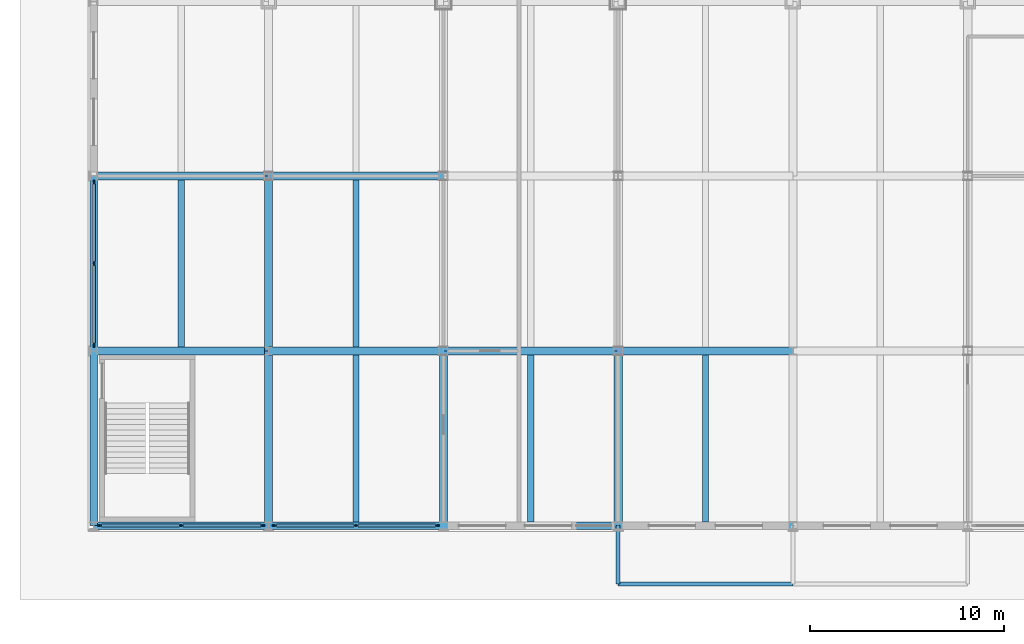
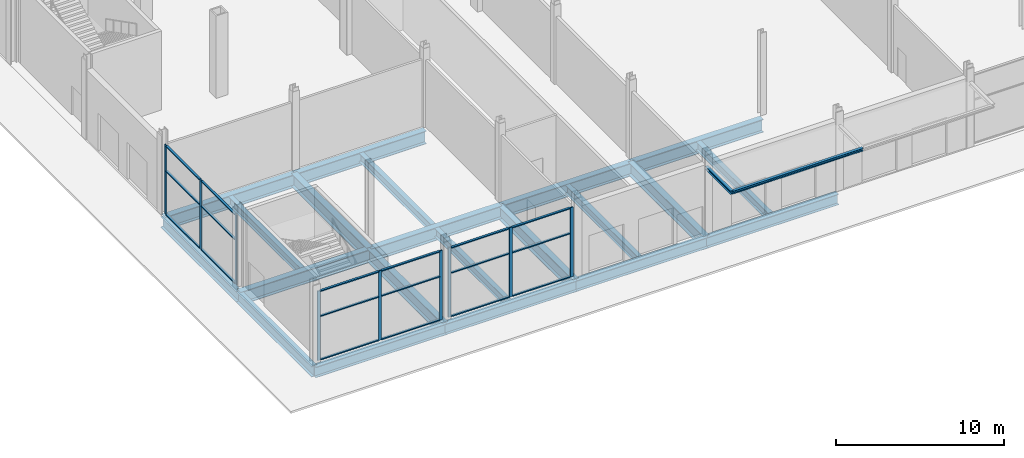
# One storey, part 6 of 34: 27 members, 23 beams, 3 elements without a shape of their own.
"""IFC4 building model written with IfcOpenShell, lengths in metres."""

from ifc_helpers import new_model, si_unit, direction, frame, origin, origin_2d, place, context, subcontext, project, spatial, rectangle, i_section, extrude, material, material_profile, profile_set, type_object, element, aggregate, save


model = new_model("IFC4")

# Units and contexts
model_context = context("Model", 3, precision=1e-05, world=origin(), true_north=direction((0.0, 1.0)))
body_context = subcontext(model_context, "Body", "Model", "MODEL_VIEW")
ifc_project = project(units=[si_unit("LENGTHUNIT", "METRE"), si_unit("AREAUNIT", "SQUARE_METRE"), si_unit("VOLUMEUNIT", "CUBIC_METRE"), si_unit("PLANEANGLEUNIT", "RADIAN"), si_unit("MASSUNIT", "GRAM", prefix="KILO")], contexts=[model_context])

# Site, building, storey
site_placement = place(None, origin())
site = spatial("IfcSite", under=ifc_project, at=site_placement, CompositionType="ELEMENT")
building_placement = place(site_placement, origin())
building = spatial("IfcBuilding", under=site, at=building_placement, Name="Loomwork Tower", CompositionType="ELEMENT")
storey_placement = place(building_placement, origin())
storey = spatial("IfcBuildingStorey", under=building, at=storey_placement, Name="L00", CompositionType="ELEMENT", Elevation=0.0)

# Beams
ifc_material_1 = material(Name="Steel ASTM A992", Category="steel")
ifc_material_profile_1 = material_profile(ifc_material_1, i_section(OverallWidth=0.2021484375, OverallDepth=0.2470703125, WebThickness=0.00732421875, FlangeThickness=0.010986328125, at=origin_2d()), Name="W10x33")
ifc_profile_set_1 = profile_set([ifc_material_profile_1], Name="Steel ASTM A992")
beam_type_1 = type_object("IfcBeamType", Name="CANOPY ARM W10x33", PredefinedType="BEAM", material=ifc_profile_set_1)
beam_1_placement = place(storey_placement, frame((18.0, -27.0, 4.676513671875), z_axis=(0.0, -1.0, 0.0), x_axis=(1.0, 0.0, 0.0)))
element("IfcBeam", 1, at=beam_1_placement, inside=storey, type_object=beam_type_1, Name="Canopy arm grid A/4", PredefinedType="BEAM", context=body_context, shape_type="SweptSolid", body=[
    extrude(i_section(OverallWidth=0.2021484375, OverallDepth=0.2470703125, WebThickness=0.00732421875, FlangeThickness=0.010986328125, at=origin_2d()), origin(), (0.0, 0.0, 1.0), 3.0),
])
ifc_material_2 = material(Name="Steel ASTM A992", Category="steel")
ifc_material_profile_2 = material_profile(ifc_material_2, i_section(OverallWidth=0.203125, OverallDepth=0.203125, WebThickness=0.00732421875, FlangeThickness=0.010986328125, at=origin_2d()), Name="W8x31")
ifc_profile_set_2 = profile_set([ifc_material_profile_2], Name="Steel ASTM A992")
beam_type_2 = type_object("IfcBeamType", Name="CANOPY EDGE BEAM W8x31", PredefinedType="BEAM", material=ifc_profile_set_2)
beam_2_placement = place(storey_placement, frame((18.0, -30.0, 4.698486328125), z_axis=(1.0, 0.0, 0.0), x_axis=(0.0, 1.0, 0.0)))
element("IfcBeam", 2, at=beam_2_placement, inside=storey, type_object=beam_type_2, Name="Canopy edge beam 18-27", PredefinedType="BEAM", context=body_context, shape_type="SweptSolid", body=[
    extrude(i_section(OverallWidth=0.203125, OverallDepth=0.203125, WebThickness=0.00732421875, FlangeThickness=0.010986328125, at=origin_2d()), origin(), (0.0, 0.0, 1.0), 9.0),
])
ifc_material_3 = material(Name="Steel ASTM A992", Category="steel")
ifc_material_profile_3 = material_profile(ifc_material_3, i_section(OverallWidth=0.381103515625, OverallDepth=0.77978515625, WebThickness=0.01806640625, FlangeThickness=0.0302734375, at=origin_2d()), Name="W30x191")
ifc_profile_set_3 = profile_set([ifc_material_profile_3], Name="Steel ASTM A992")
beam_type_3 = type_object("IfcBeamType", Name="EDGE GIRDER W30x191", PredefinedType="BEAM", material=ifc_profile_set_3)
for number, where, z_axis, x_axis, name in (
    (3, (-9.0, -27.0, -0.68994140625), (1.0, 0.0, 0.0), (0.0, 1.0, 0.0), "Edge Girder A/1-A/2 L00"),
    (4, (0.0, -27.0, -0.68994140625), (1.0, 0.0, 0.0), (0.0, 1.0, 0.0), "Edge Girder A/2-A/3 L00"),
    (5, (9.0, -27.0, -0.68994140625), (1.0, 0.0, 0.0), (0.0, 1.0, 0.0), "Edge Girder A/3-A/4 L00"),
    (6, (18.0, -27.0, -0.68994140625), (1.0, 0.0, 0.0), (0.0, 1.0, 0.0), "Edge Girder A/4-A/5 L00"),
    (7, (-9.0, -27.0, -0.68994140625), (0.0, 1.0, 0.0), (-1.0, 0.0, 0.0), "Edge Girder A/1-B/1 L00"),
    (8, (-9.0, -18.0, -0.68994140625), (0.0, 1.0, 0.0), (-1.0, 0.0, 0.0), "Edge Girder B/1-C/1 L00"),
):
    element("IfcBeam", number, at=place(storey_placement, frame(where, z_axis=z_axis, x_axis=x_axis)), inside=storey, type_object=beam_type_3, Name=name, PredefinedType="BEAM", context=body_context, shape_type="SweptSolid", body=[
        extrude(i_section(OverallWidth=0.381103515625, OverallDepth=0.77978515625, WebThickness=0.01806640625, FlangeThickness=0.0302734375, at=origin_2d()), origin(), (0.0, 0.0, 1.0), 9.0),
    ])
ifc_material_4 = material(Name="Steel ASTM A992", Category="steel")
ifc_material_profile_4 = material_profile(ifc_material_4, i_section(OverallWidth=0.3251953125, OverallDepth=0.612060546875, WebThickness=0.0126953125, FlangeThickness=0.01904296875, at=origin_2d()), Name="W24x104")
ifc_profile_set_4 = profile_set([ifc_material_profile_4], Name="Steel ASTM A992")
beam_type_4 = type_object("IfcBeamType", Name="FLOOR JOIST W24x104", PredefinedType="JOIST", material=ifc_profile_set_4)
beam_3_placement = place(storey_placement, frame((-4.5, -17.7880859375, -0.60595703125), z_axis=(0.0, 1.0, 0.0), x_axis=(-1.0, 0.0, 0.0)))
element("IfcBeam", 9, at=beam_3_placement, inside=storey, type_object=beam_type_4, Name="Floor Joist -4.500,-18.000--4.500,-9.000 L00", PredefinedType="JOIST", context=body_context, shape_type="SweptSolid", body=[
    extrude(i_section(OverallWidth=0.3251953125, OverallDepth=0.612060546875, WebThickness=0.0126953125, FlangeThickness=0.01904296875, at=origin_2d()), origin(), (0.0, 0.0, 1.0), 8.576171875),
])
beam_4_placement = place(storey_placement, frame((4.5, -26.81005859375, -0.60595703125), z_axis=(0.0, 1.0, 0.0), x_axis=(-1.0, 0.0, 0.0)))
element("IfcBeam", 10, at=beam_4_placement, inside=storey, type_object=beam_type_4, Name="Floor Joist 4.500,-27.000-4.500,-18.000 L00", PredefinedType="JOIST", context=body_context, shape_type="SweptSolid", body=[
    extrude(i_section(OverallWidth=0.3251953125, OverallDepth=0.612060546875, WebThickness=0.0126953125, FlangeThickness=0.01904296875, at=origin_2d()), origin(), (0.0, 0.0, 1.0), 8.59814453125),
])
beam_5_placement = place(storey_placement, frame((4.5, -17.7880859375, -0.60595703125), z_axis=(0.0, 1.0, 0.0), x_axis=(-1.0, 0.0, 0.0)))
element("IfcBeam", 11, at=beam_5_placement, inside=storey, type_object=beam_type_4, Name="Floor Joist 4.500,-18.000-4.500,-9.000 L00", PredefinedType="JOIST", context=body_context, shape_type="SweptSolid", body=[
    extrude(i_section(OverallWidth=0.3251953125, OverallDepth=0.612060546875, WebThickness=0.0126953125, FlangeThickness=0.01904296875, at=origin_2d()), origin(), (0.0, 0.0, 1.0), 8.576171875),
])
for number, where, z_axis, x_axis, name in (
    (12, (13.5, -26.81005859375, -0.60595703125), (0.0, 1.0, 0.0), (-1.0, 0.0, 0.0), "Floor Joist 13.500,-27.000-13.500,-18.000 L00"),
    (13, (22.5, -26.81005859375, -0.60595703125), (0.0, 1.0, 0.0), (-1.0, 0.0, 0.0), "Floor Joist 22.500,-27.000-22.500,-18.000 L00"),
):
    element("IfcBeam", number, at=place(storey_placement, frame(where, z_axis=z_axis, x_axis=x_axis)), inside=storey, type_object=beam_type_4, Name=name, PredefinedType="JOIST", context=body_context, shape_type="SweptSolid", body=[
        extrude(i_section(OverallWidth=0.3251953125, OverallDepth=0.612060546875, WebThickness=0.0126953125, FlangeThickness=0.01904296875, at=origin_2d()), origin(), (0.0, 0.0, 1.0), 8.59814453125),
    ])

# Curtain wall, members
ifc_material_5 = material(Name="Aluminium storefront frame", Category="aluminium")
curtain_wall_type = type_object("IfcCurtainWallType", Name="Storefront glazing", PredefinedType="NOTDEFINED", material=ifc_material_5)
curtain_wall_1_placement = place(storey_placement, origin())
curtain_wall_1 = element("IfcCurtainWall", 14, at=curtain_wall_1_placement, inside=storey, type_object=curtain_wall_type, Name="Storefront glazing cw/S--9", PredefinedType="NOTDEFINED")
ifc_material_6 = material(Name="Aluminium storefront frame", Category="aluminium")
ifc_material_profile_5 = material_profile(ifc_material_6, rectangle(XDim=0.074951171875, YDim=0.199951171875, at=origin_2d()), Name="AL 75x200")
ifc_profile_set_5 = profile_set([ifc_material_profile_5], Name="Aluminium storefront frame")
member_type_1 = type_object("IfcMemberType", Name="Storefront glazing mullion", PredefinedType="MULLION", material=ifc_profile_set_5)
member_1_placement = place(storey_placement, frame((-8.69921875, -27.0, 0.0), z_axis=(0.0, 0.0, 1.0), x_axis=(0.0, 1.0, 0.0)))
member_1 = element("IfcMember", 15, at=member_1_placement, type_object=member_type_1, Name="CW7 mullion 1", PredefinedType="MULLION", context=body_context, shape_type="SweptSolid", body=[
    extrude(rectangle(XDim=0.074951171875, YDim=0.199951171875, at=origin_2d()), origin(), (0.0, 0.0, 1.0), 5.053955078125),
])
member_2_placement = place(storey_placement, frame((-4.5, -27.0, 0.0), z_axis=(0.0, 0.0, 1.0), x_axis=(0.0, 1.0, 0.0)))
member_2 = element("IfcMember", 16, at=member_2_placement, type_object=member_type_1, Name="CW7 mullion 2", PredefinedType="MULLION", context=body_context, shape_type="SweptSolid", body=[
    extrude(rectangle(XDim=0.074951171875, YDim=0.199951171875, at=origin_2d()), origin(), (0.0, 0.0, 1.0), 5.053955078125),
])
member_3_placement = place(storey_placement, frame((-0.30078125, -27.0, 0.0), z_axis=(0.0, 0.0, 1.0), x_axis=(0.0, 1.0, 0.0)))
member_3 = element("IfcMember", 17, at=member_3_placement, type_object=member_type_1, Name="CW7 mullion 3", PredefinedType="MULLION", context=body_context, shape_type="SweptSolid", body=[
    extrude(rectangle(XDim=0.074951171875, YDim=0.199951171875, at=origin_2d()), origin(), (0.0, 0.0, 1.0), 5.053955078125),
])

curtain_wall_2_placement = place(storey_placement, origin())
curtain_wall_2 = element("IfcCurtainWall", 18, at=curtain_wall_2_placement, inside=storey, type_object=curtain_wall_type, Name="Storefront glazing cw/S-0", PredefinedType="NOTDEFINED")
member_4_placement = place(storey_placement, frame((0.30078125, -27.0, 0.0), z_axis=(0.0, 0.0, 1.0), x_axis=(0.0, 1.0, 0.0)))
member_4 = element("IfcMember", 19, at=member_4_placement, type_object=member_type_1, Name="CW7 mullion 1", PredefinedType="MULLION", context=body_context, shape_type="SweptSolid", body=[
    extrude(rectangle(XDim=0.074951171875, YDim=0.199951171875, at=origin_2d()), origin(), (0.0, 0.0, 1.0), 5.053955078125),
])
member_5_placement = place(storey_placement, frame((4.5, -27.0, 0.0), z_axis=(0.0, 0.0, 1.0), x_axis=(0.0, 1.0, 0.0)))
member_5 = element("IfcMember", 20, at=member_5_placement, type_object=member_type_1, Name="CW7 mullion 2", PredefinedType="MULLION", context=body_context, shape_type="SweptSolid", body=[
    extrude(rectangle(XDim=0.074951171875, YDim=0.199951171875, at=origin_2d()), origin(), (0.0, 0.0, 1.0), 5.053955078125),
])
member_6_placement = place(storey_placement, frame((8.69921875, -27.0, 0.0), z_axis=(0.0, 0.0, 1.0), x_axis=(0.0, 1.0, 0.0)))
member_6 = element("IfcMember", 21, at=member_6_placement, type_object=member_type_1, Name="CW7 mullion 3", PredefinedType="MULLION", context=body_context, shape_type="SweptSolid", body=[
    extrude(rectangle(XDim=0.074951171875, YDim=0.199951171875, at=origin_2d()), origin(), (0.0, 0.0, 1.0), 5.053955078125),
])

curtain_wall_3_placement = place(storey_placement, origin())
curtain_wall_3 = element("IfcCurtainWall", 22, at=curtain_wall_3_placement, inside=storey, type_object=curtain_wall_type, Name="Storefront glazing cw/W--18", PredefinedType="NOTDEFINED")
member_7_placement = place(storey_placement, frame((-9.0, -9.30078125, 0.0), z_axis=(0.0, 0.0, 1.0), x_axis=(1.0, 0.0, 0.0)))
member_7 = element("IfcMember", 23, at=member_7_placement, type_object=member_type_1, Name="CW7 mullion 1", PredefinedType="MULLION", context=body_context, shape_type="SweptSolid", body=[
    extrude(rectangle(XDim=0.074951171875, YDim=0.199951171875, at=origin_2d()), origin(), (0.0, 0.0, 1.0), 5.053955078125),
])
member_8_placement = place(storey_placement, frame((-9.0, -13.5, 0.0), z_axis=(0.0, 0.0, 1.0), x_axis=(1.0, 0.0, 0.0)))
member_8 = element("IfcMember", 24, at=member_8_placement, type_object=member_type_1, Name="CW7 mullion 2", PredefinedType="MULLION", context=body_context, shape_type="SweptSolid", body=[
    extrude(rectangle(XDim=0.074951171875, YDim=0.199951171875, at=origin_2d()), origin(), (0.0, 0.0, 1.0), 5.053955078125),
])
member_9_placement = place(storey_placement, frame((-9.0, -17.69921875, 0.0), z_axis=(0.0, 0.0, 1.0), x_axis=(1.0, 0.0, 0.0)))
member_9 = element("IfcMember", 25, at=member_9_placement, type_object=member_type_1, Name="CW7 mullion 3", PredefinedType="MULLION", context=body_context, shape_type="SweptSolid", body=[
    extrude(rectangle(XDim=0.074951171875, YDim=0.199951171875, at=origin_2d()), origin(), (0.0, 0.0, 1.0), 5.053955078125),
])

# Member
ifc_material_7 = material(Name="Aluminium storefront frame", Category="aluminium")
ifc_material_profile_6 = material_profile(ifc_material_7, rectangle(XDim=0.14990234375, YDim=0.074951171875, at=origin_2d()), Name="AL 75x150")
ifc_profile_set_6 = profile_set([ifc_material_profile_6], Name="Aluminium storefront frame")
member_type_2 = type_object("IfcMemberType", Name="Storefront glazing transom", PredefinedType="USERDEFINED", material=ifc_profile_set_6)
member_10_placement = place(storey_placement, frame((-8.599365234375, -27.0, 0.03759765625), z_axis=(1.0, 0.0, 0.0), x_axis=(0.0, 1.0, 0.0)))
member_10 = element("IfcMember", 26, at=member_10_placement, type_object=member_type_2, Name="CW7 transom 1.1", ObjectType="TRANSOM", PredefinedType="USERDEFINED", context=body_context, shape_type="SweptSolid", body=[
    extrude(rectangle(XDim=0.14990234375, YDim=0.074951171875, at=origin_2d()), origin(), (0.0, 0.0, 1.0), 3.999267578125),
])

member_11_placement = place(storey_placement, frame((-8.599365234375, -27.0, 3.199951171875), z_axis=(1.0, 0.0, 0.0), x_axis=(0.0, 1.0, 0.0)))
member_11 = element("IfcMember", 27, at=member_11_placement, type_object=member_type_2, Name="CW7 transom 1.2", ObjectType="TRANSOM", PredefinedType="USERDEFINED", context=body_context, shape_type="SweptSolid", body=[
    extrude(rectangle(XDim=0.14990234375, YDim=0.074951171875, at=origin_2d()), origin(), (0.0, 0.0, 1.0), 3.999267578125),
])

member_12_placement = place(storey_placement, frame((-8.599365234375, -27.0, 5.0166015625), z_axis=(1.0, 0.0, 0.0), x_axis=(0.0, 1.0, 0.0)))
member_12 = element("IfcMember", 28, at=member_12_placement, type_object=member_type_2, Name="CW7 transom 1.3", ObjectType="TRANSOM", PredefinedType="USERDEFINED", context=body_context, shape_type="SweptSolid", body=[
    extrude(rectangle(XDim=0.14990234375, YDim=0.074951171875, at=origin_2d()), origin(), (0.0, 0.0, 1.0), 3.999267578125),
])

member_13_placement = place(storey_placement, frame((-4.39990234375, -27.0, 0.03759765625), z_axis=(1.0, 0.0, 0.0), x_axis=(0.0, 1.0, 0.0)))
member_13 = element("IfcMember", 29, at=member_13_placement, type_object=member_type_2, Name="CW7 transom 2.1", ObjectType="TRANSOM", PredefinedType="USERDEFINED", context=body_context, shape_type="SweptSolid", body=[
    extrude(rectangle(XDim=0.14990234375, YDim=0.074951171875, at=origin_2d()), origin(), (0.0, 0.0, 1.0), 3.999267578125),
])

member_14_placement = place(storey_placement, frame((-4.39990234375, -27.0, 3.199951171875), z_axis=(1.0, 0.0, 0.0), x_axis=(0.0, 1.0, 0.0)))
member_14 = element("IfcMember", 30, at=member_14_placement, type_object=member_type_2, Name="CW7 transom 2.2", ObjectType="TRANSOM", PredefinedType="USERDEFINED", context=body_context, shape_type="SweptSolid", body=[
    extrude(rectangle(XDim=0.14990234375, YDim=0.074951171875, at=origin_2d()), origin(), (0.0, 0.0, 1.0), 3.999267578125),
])

member_15_placement = place(storey_placement, frame((-4.39990234375, -27.0, 5.0166015625), z_axis=(1.0, 0.0, 0.0), x_axis=(0.0, 1.0, 0.0)))
member_15 = element("IfcMember", 31, at=member_15_placement, type_object=member_type_2, Name="CW7 transom 2.3", ObjectType="TRANSOM", PredefinedType="USERDEFINED", context=body_context, shape_type="SweptSolid", body=[
    extrude(rectangle(XDim=0.14990234375, YDim=0.074951171875, at=origin_2d()), origin(), (0.0, 0.0, 1.0), 3.999267578125),
])

aggregate(curtain_wall_1, [member_1, member_2, member_3, member_10, member_11, member_12, member_13, member_14, member_15])

member_16_placement = place(storey_placement, frame((0.400634765625, -27.0, 0.03759765625), z_axis=(1.0, 0.0, 0.0), x_axis=(0.0, 1.0, 0.0)))
member_16 = element("IfcMember", 32, at=member_16_placement, type_object=member_type_2, Name="CW7 transom 1.1", ObjectType="TRANSOM", PredefinedType="USERDEFINED", context=body_context, shape_type="SweptSolid", body=[
    extrude(rectangle(XDim=0.14990234375, YDim=0.074951171875, at=origin_2d()), origin(), (0.0, 0.0, 1.0), 3.999267578125),
])

member_17_placement = place(storey_placement, frame((0.400634765625, -27.0, 3.199951171875), z_axis=(1.0, 0.0, 0.0), x_axis=(0.0, 1.0, 0.0)))
member_17 = element("IfcMember", 33, at=member_17_placement, type_object=member_type_2, Name="CW7 transom 1.2", ObjectType="TRANSOM", PredefinedType="USERDEFINED", context=body_context, shape_type="SweptSolid", body=[
    extrude(rectangle(XDim=0.14990234375, YDim=0.074951171875, at=origin_2d()), origin(), (0.0, 0.0, 1.0), 3.999267578125),
])

member_18_placement = place(storey_placement, frame((0.400634765625, -27.0, 5.0166015625), z_axis=(1.0, 0.0, 0.0), x_axis=(0.0, 1.0, 0.0)))
member_18 = element("IfcMember", 34, at=member_18_placement, type_object=member_type_2, Name="CW7 transom 1.3", ObjectType="TRANSOM", PredefinedType="USERDEFINED", context=body_context, shape_type="SweptSolid", body=[
    extrude(rectangle(XDim=0.14990234375, YDim=0.074951171875, at=origin_2d()), origin(), (0.0, 0.0, 1.0), 3.999267578125),
])

member_19_placement = place(storey_placement, frame((4.60009765625, -27.0, 0.03759765625), z_axis=(1.0, 0.0, 0.0), x_axis=(0.0, 1.0, 0.0)))
member_19 = element("IfcMember", 35, at=member_19_placement, type_object=member_type_2, Name="CW7 transom 2.1", ObjectType="TRANSOM", PredefinedType="USERDEFINED", context=body_context, shape_type="SweptSolid", body=[
    extrude(rectangle(XDim=0.14990234375, YDim=0.074951171875, at=origin_2d()), origin(), (0.0, 0.0, 1.0), 3.999267578125),
])

member_20_placement = place(storey_placement, frame((4.60009765625, -27.0, 3.199951171875), z_axis=(1.0, 0.0, 0.0), x_axis=(0.0, 1.0, 0.0)))
member_20 = element("IfcMember", 36, at=member_20_placement, type_object=member_type_2, Name="CW7 transom 2.2", ObjectType="TRANSOM", PredefinedType="USERDEFINED", context=body_context, shape_type="SweptSolid", body=[
    extrude(rectangle(XDim=0.14990234375, YDim=0.074951171875, at=origin_2d()), origin(), (0.0, 0.0, 1.0), 3.999267578125),
])

member_21_placement = place(storey_placement, frame((4.60009765625, -27.0, 5.0166015625), z_axis=(1.0, 0.0, 0.0), x_axis=(0.0, 1.0, 0.0)))
member_21 = element("IfcMember", 37, at=member_21_placement, type_object=member_type_2, Name="CW7 transom 2.3", ObjectType="TRANSOM", PredefinedType="USERDEFINED", context=body_context, shape_type="SweptSolid", body=[
    extrude(rectangle(XDim=0.14990234375, YDim=0.074951171875, at=origin_2d()), origin(), (0.0, 0.0, 1.0), 3.999267578125),
])

aggregate(curtain_wall_2, [member_4, member_5, member_6, member_16, member_17, member_18, member_19, member_20, member_21])

member_22_placement = place(storey_placement, frame((-9.0, -9.400634765625, 0.03759765625), z_axis=(0.0, -1.0, 0.0), x_axis=(1.0, 0.0, 0.0)))
member_22 = element("IfcMember", 38, at=member_22_placement, type_object=member_type_2, Name="CW7 transom 1.1", ObjectType="TRANSOM", PredefinedType="USERDEFINED", context=body_context, shape_type="SweptSolid", body=[
    extrude(rectangle(XDim=0.14990234375, YDim=0.074951171875, at=origin_2d()), origin(), (0.0, 0.0, 1.0), 3.999267578125),
])

member_23_placement = place(storey_placement, frame((-9.0, -9.400634765625, 3.199951171875), z_axis=(0.0, -1.0, 0.0), x_axis=(1.0, 0.0, 0.0)))
member_23 = element("IfcMember", 39, at=member_23_placement, type_object=member_type_2, Name="CW7 transom 1.2", ObjectType="TRANSOM", PredefinedType="USERDEFINED", context=body_context, shape_type="SweptSolid", body=[
    extrude(rectangle(XDim=0.14990234375, YDim=0.074951171875, at=origin_2d()), origin(), (0.0, 0.0, 1.0), 3.999267578125),
])

member_24_placement = place(storey_placement, frame((-9.0, -9.400634765625, 5.0166015625), z_axis=(0.0, -1.0, 0.0), x_axis=(1.0, 0.0, 0.0)))
member_24 = element("IfcMember", 40, at=member_24_placement, type_object=member_type_2, Name="CW7 transom 1.3", ObjectType="TRANSOM", PredefinedType="USERDEFINED", context=body_context, shape_type="SweptSolid", body=[
    extrude(rectangle(XDim=0.14990234375, YDim=0.074951171875, at=origin_2d()), origin(), (0.0, 0.0, 1.0), 3.999267578125),
])

member_25_placement = place(storey_placement, frame((-9.0, -13.60009765625, 0.03759765625), z_axis=(0.0, -1.0, 0.0), x_axis=(1.0, 0.0, 0.0)))
member_25 = element("IfcMember", 41, at=member_25_placement, type_object=member_type_2, Name="CW7 transom 2.1", ObjectType="TRANSOM", PredefinedType="USERDEFINED", context=body_context, shape_type="SweptSolid", body=[
    extrude(rectangle(XDim=0.14990234375, YDim=0.074951171875, at=origin_2d()), origin(), (0.0, 0.0, 1.0), 3.999267578125),
])

member_26_placement = place(storey_placement, frame((-9.0, -13.60009765625, 3.199951171875), z_axis=(0.0, -1.0, 0.0), x_axis=(1.0, 0.0, 0.0)))
member_26 = element("IfcMember", 42, at=member_26_placement, type_object=member_type_2, Name="CW7 transom 2.2", ObjectType="TRANSOM", PredefinedType="USERDEFINED", context=body_context, shape_type="SweptSolid", body=[
    extrude(rectangle(XDim=0.14990234375, YDim=0.074951171875, at=origin_2d()), origin(), (0.0, 0.0, 1.0), 3.999267578125),
])

member_27_placement = place(storey_placement, frame((-9.0, -13.60009765625, 5.0166015625), z_axis=(0.0, -1.0, 0.0), x_axis=(1.0, 0.0, 0.0)))
member_27 = element("IfcMember", 43, at=member_27_placement, type_object=member_type_2, Name="CW7 transom 2.3", ObjectType="TRANSOM", PredefinedType="USERDEFINED", context=body_context, shape_type="SweptSolid", body=[
    extrude(rectangle(XDim=0.14990234375, YDim=0.074951171875, at=origin_2d()), origin(), (0.0, 0.0, 1.0), 3.999267578125),
])

aggregate(curtain_wall_3, [member_7, member_8, member_9, member_22, member_23, member_24, member_25, member_26, member_27])

# Beams
ifc_material_8 = material(Name="Steel ASTM A992", Category="steel")
ifc_material_profile_7 = material_profile(ifc_material_8, i_section(OverallWidth=0.424072265625, OverallDepth=0.947509765625, WebThickness=0.02392578125, FlangeThickness=0.042724609375, at=origin_2d()), Name="W36x302")
ifc_profile_set_7 = profile_set([ifc_material_profile_7], Name="Steel ASTM A992")
beam_type_5 = type_object("IfcBeamType", Name="TRANSFER FLOOR GIRDER W36x302", PredefinedType="BEAM", material=ifc_profile_set_7)
for number, where, z_axis, x_axis, name in (
    (44, (-9.0, -18.0, -0.773681640625), (1.0, 0.0, 0.0), (0.0, 1.0, 0.0), "Transfer Floor Girder B/1-B/2 L00"),
    (45, (0.0, -18.0, -0.773681640625), (1.0, 0.0, 0.0), (0.0, 1.0, 0.0), "Transfer Floor Girder B/2-B/3 L00"),
    (46, (9.0, -18.0, -0.773681640625), (1.0, 0.0, 0.0), (0.0, 1.0, 0.0), "Transfer Floor Girder B/3-B/4 L00"),
    (47, (18.0, -18.0, -0.773681640625), (1.0, 0.0, 0.0), (0.0, 1.0, 0.0), "Transfer Floor Girder B/4-B/5 L00"),
    (48, (-9.0, -9.0, -0.773681640625), (1.0, 0.0, 0.0), (0.0, 1.0, 0.0), "Transfer Floor Girder C/1-C/2 L00"),
    (49, (0.0, -9.0, -0.773681640625), (1.0, 0.0, 0.0), (0.0, 1.0, 0.0), "Transfer Floor Girder C/2-C/3 L00"),
    (50, (0.0, -27.0, -0.773681640625), (0.0, 1.0, 0.0), (-1.0, 0.0, 0.0), "Transfer Floor Girder A/2-B/2 L00"),
    (51, (0.0, -18.0, -0.773681640625), (0.0, 1.0, 0.0), (-1.0, 0.0, 0.0), "Transfer Floor Girder B/2-C/2 L00"),
    (52, (9.0, -27.0, -0.773681640625), (0.0, 1.0, 0.0), (-1.0, 0.0, 0.0), "Transfer Floor Girder A/3-B/3 L00"),
    (53, (18.0, -27.0, -0.773681640625), (0.0, 1.0, 0.0), (-1.0, 0.0, 0.0), "Transfer Floor Girder A/4-B/4 L00"),
):
    element("IfcBeam", number, at=place(storey_placement, frame(where, z_axis=z_axis, x_axis=x_axis)), inside=storey, type_object=beam_type_5, Name=name, PredefinedType="BEAM", context=body_context, shape_type="SweptSolid", body=[
        extrude(i_section(OverallWidth=0.424072265625, OverallDepth=0.947509765625, WebThickness=0.02392578125, FlangeThickness=0.042724609375, at=origin_2d()), origin(), (0.0, 0.0, 1.0), 9.0),
    ])

save(model, "model.ifc")
